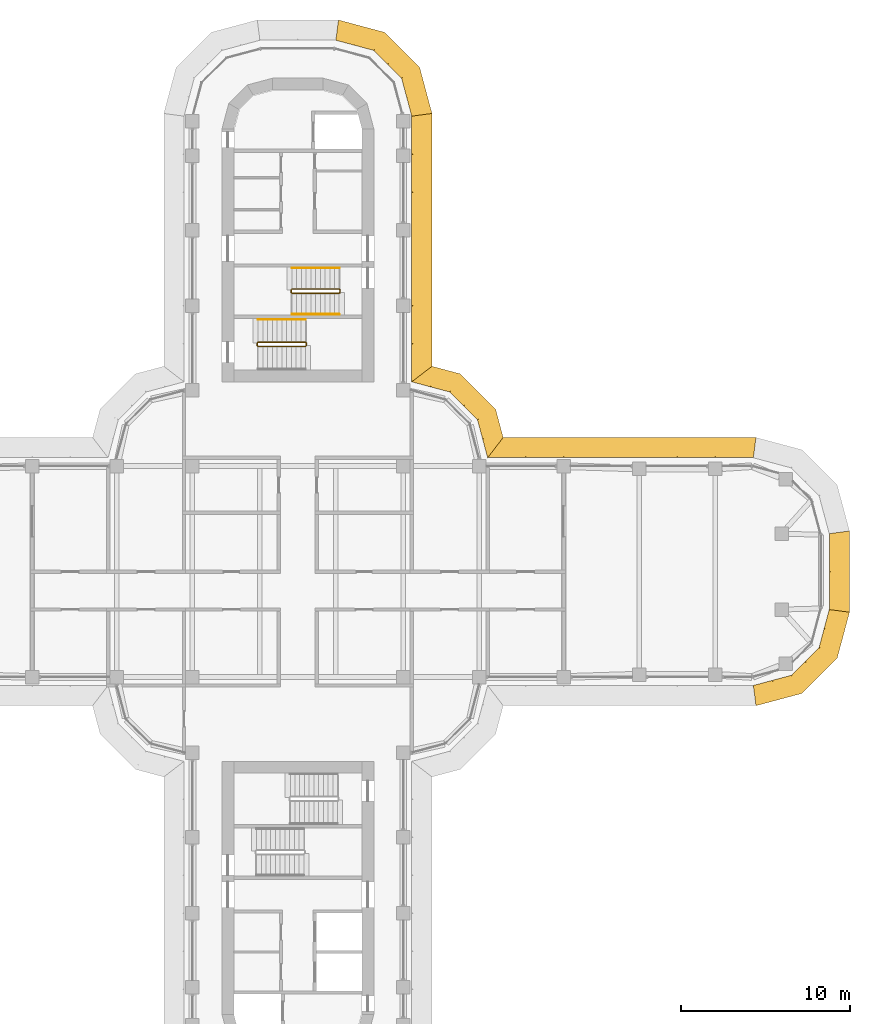
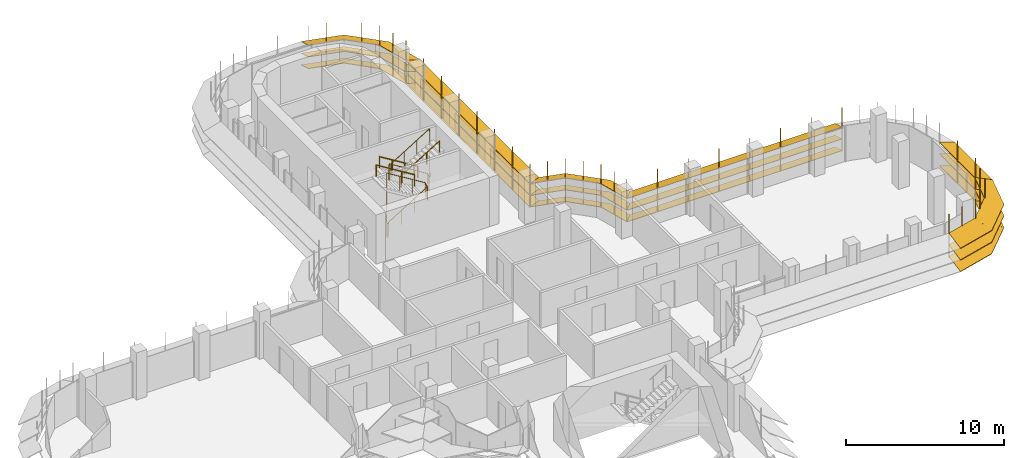
# One storey, part 18 of 19: 6 shading devices, 5 railings.
"""IFC4 building model written with IfcOpenShell, lengths in metres."""

from ifc_helpers import new_model, si_unit, direction, frame, origin, origin_2d, place, context, subcontext, project, spatial, polyline, circle, outline, extrude, faceted_brep, source, transform, mapped, material, type_object, element, save


model = new_model("IFC4")

# Units and contexts
model_context = context("Model", 3, precision=1e-05, world=origin(), true_north=direction((0.0, 1.0)))
body_context = subcontext(model_context, "Body", "Model", "MODEL_VIEW")
ifc_project = project(units=[si_unit("LENGTHUNIT", "METRE"), si_unit("AREAUNIT", "SQUARE_METRE"), si_unit("VOLUMEUNIT", "CUBIC_METRE"), si_unit("PLANEANGLEUNIT", "RADIAN"), si_unit("MASSUNIT", "GRAM", prefix="KILO")], contexts=[model_context])

# Site, building, storey
site_placement = place(None, origin())
site = spatial("IfcSite", under=ifc_project, at=site_placement, CompositionType="ELEMENT")
building_placement = place(site_placement, origin())
building = spatial("IfcBuilding", under=site, at=building_placement, Name="Zarbagh Exchange Tower", CompositionType="ELEMENT")
storey_placement = place(building_placement, frame((0.0, 0.0, 160.0)))
storey = spatial("IfcBuildingStorey", under=building, at=storey_placement, Name="L38", CompositionType="ELEMENT", Elevation=160.0)

# Railings
ifc_material_1 = material(Name="Stainless steel", Category="steel")
railing_type_1 = type_object("IfcRailingType", Name="Stair guard 1100 mm", PredefinedType="GUARDRAIL", material=ifc_material_1)
railing_1_placement = place(storey_placement, frame((-0.35009765625, 16.5, 2.07275390625)))
element("IfcRailing", 1, at=railing_1_placement, inside=storey, type_object=railing_type_1, Name="ST1 stair guard 1", PredefinedType="GUARDRAIL", context=body_context, shape_type="SweptSolid", body=[
    extrude(circle(Radius=0.02392578125, at=origin_2d()), frame((0.0, 0.0, 1.076171875), z_axis=(0.851089632645, 0.0, 0.525020415988), x_axis=(0.0, 1.0, 0.0)), (0.0, 0.0, 1.0), 3.2900390625),
    extrude(circle(Radius=0.02392578125, at=origin_2d()), frame((2.800048828125, 0.0, 2.80322265625), z_axis=(0.013168290981, 0.013168290981, -0.999826581076), x_axis=(-0.707106781187, 0.707106781187, 0.0)), (0.0, 0.0, 1.0), 3.80078125),
    extrude(circle(Radius=0.02392578125, at=origin_2d()), frame((2.85009765625, 0.050048828125, -0.99658203125), z_axis=(0.0, 1.0, 0.0), x_axis=(-1.0, 0.0, 0.0)), (0.0, 0.0, 1.0), 0.14990234375),
    extrude(circle(Radius=0.02392578125, at=origin_2d()), frame((2.85009765625, 0.199951171875, -0.99658203125), z_axis=(-0.268277960024, 0.268277960024, 0.925231793839), x_axis=(-0.707106781187, -0.707106781187, 0.0)), (0.0, 0.0, 1.0), 0.1865234375),
    extrude(circle(Radius=0.02392578125, at=origin_2d()), frame((2.800048828125, 0.25, -0.82421875), z_axis=(-0.851089632645, 0.0, 0.525020415988), x_axis=(0.0, -1.0, 0.0)), (0.0, 0.0, 1.0), 3.2900390625),
    extrude(circle(Radius=0.02392578125, at=origin_2d()), frame((0.0, 0.25, 0.9033203125), z_axis=(-0.705375805398, -0.708833529934, 0.0), x_axis=(0.708833529934, -0.705375805398, 0.0)), (0.0, 0.0, 1.0), 0.070556640625),
    extrude(circle(Radius=0.02392578125, at=origin_2d()), frame((-0.0498046875, 0.199951171875, 0.9033203125), z_axis=(0.0, -1.0, 0.0), x_axis=(1.0, 0.0, 0.0)), (0.0, 0.0, 1.0), 0.14990234375),
    extrude(circle(Radius=0.02099609375, at=origin_2d()), origin(), (0.0, 0.0, 1.0), 1.052001953125),
    extrude(circle(Radius=0.02099609375, at=origin_2d()), frame((0.933349609375, 0.0, 0.57568359375)), (0.0, 0.0, 1.0), 1.052001953125),
    extrude(circle(Radius=0.02099609375, at=origin_2d()), frame((1.86669921875, 0.0, 1.151611328125)), (0.0, 0.0, 1.0), 1.052001953125),
    extrude(circle(Radius=0.02099609375, at=origin_2d()), frame((2.800048828125, 0.0, 1.727294921875)), (0.0, 0.0, 1.0), 1.052001953125),
    extrude(circle(Radius=0.02099609375, at=origin_2d()), frame((2.8125, 0.012451171875, 0.77734375)), (0.0, 0.0, 1.0), 1.052001953125),
    extrude(circle(Radius=0.02099609375, at=origin_2d()), frame((2.8251953125, 0.02490234375, -0.1728515625)), (0.0, 0.0, 1.0), 1.052001953125),
    extrude(circle(Radius=0.02099609375, at=origin_2d()), frame((2.837646484375, 0.03759765625, -1.122802734375)), (0.0, 0.0, 1.0), 1.052001953125),
    extrude(circle(Radius=0.02099609375, at=origin_2d()), frame((2.85009765625, 0.050048828125, -2.07275390625)), (0.0, 0.0, 1.0), 1.052001953125),
    extrude(circle(Radius=0.02099609375, at=origin_2d()), frame((2.85009765625, 0.199951171875, -2.07275390625)), (0.0, 0.0, 1.0), 1.052001953125),
    extrude(circle(Radius=0.02099609375, at=origin_2d()), frame((2.800048828125, 0.25, -1.900146484375)), (0.0, 0.0, 1.0), 1.052001953125),
    extrude(circle(Radius=0.02099609375, at=origin_2d()), frame((1.86669921875, 0.25, -1.324462890625)), (0.0, 0.0, 1.0), 1.052001953125),
    extrude(circle(Radius=0.02099609375, at=origin_2d()), frame((0.933349609375, 0.25, -0.74853515625)), (0.0, 0.0, 1.0), 1.052001953125),
    extrude(circle(Radius=0.02099609375, at=origin_2d()), frame((0.0, 0.25, -0.1728515625)), (0.0, 0.0, 1.0), 1.052001953125),
    extrude(circle(Radius=0.02099609375, at=origin_2d()), frame((-0.0498046875, 0.199951171875, -0.1728515625)), (0.0, 0.0, 1.0), 1.052001953125),
    extrude(circle(Radius=0.02099609375, at=origin_2d()), frame((-0.0498046875, 0.050048828125, -0.1728515625)), (0.0, 0.0, 1.0), 1.052001953125),
])
railing_2_placement = place(storey_placement, frame((0.5, 13.39990234375, 1.89990234375)))
element("IfcRailing", 2, at=railing_2_placement, inside=storey, type_object=railing_type_1, Name="ST2 stair guard 1", PredefinedType="GUARDRAIL", context=body_context, shape_type="SweptSolid", body=[
    extrude(circle(Radius=0.02392578125, at=origin_2d()), frame((0.0, 0.0, 1.076171875), z_axis=(0.0, 1.0, 0.0), x_axis=(-1.0, 0.0, 0.0)), (0.0, 0.0, 1.0), 0.150146484375),
    extrude(circle(Radius=0.02392578125, at=origin_2d()), frame((0.0, 0.150146484375, 1.076171875), z_axis=(-0.267953482034, 0.267953482034, 0.925419830635), x_axis=(-0.707106781187, -0.707106781187, 0.0)), (0.0, 0.0, 1.0), 0.186767578125),
    extrude(circle(Radius=0.02392578125, at=origin_2d()), frame((-0.050048828125, 0.2001953125, 1.2490234375), z_axis=(-0.851089632645, 0.0, 0.525020415988), x_axis=(0.0, -1.0, 0.0)), (0.0, 0.0, 1.0), 3.2900390625),
    extrude(circle(Radius=0.02392578125, at=origin_2d()), frame((-2.85009765625, 0.2001953125, 2.97607421875), z_axis=(-0.013104066473, -0.013168302093, -0.99982742474), x_axis=(0.708833529934, -0.705375805398, 0.0)), (0.0, 0.0, 1.0), 3.80078125),
    extrude(circle(Radius=0.02392578125, at=origin_2d()), frame((-2.89990234375, 0.150146484375, -0.82373046875), z_axis=(0.0, -1.0, 0.0), x_axis=(1.0, 0.0, 0.0)), (0.0, 0.0, 1.0), 0.150146484375),
    extrude(circle(Radius=0.02392578125, at=origin_2d()), frame((-2.89990234375, 0.0, -0.82373046875), z_axis=(0.26715648603, -0.26715648603, 0.925880566782), x_axis=(0.707106781187, 0.707106781187, 0.0)), (0.0, 0.0, 1.0), 0.1865234375),
    extrude(circle(Radius=0.02392578125, at=origin_2d()), frame((-2.85009765625, -0.0498046875, -0.6513671875), z_axis=(0.851089632645, 0.0, 0.525020415988), x_axis=(0.0, 1.0, 0.0)), (0.0, 0.0, 1.0), 3.2900390625),
    extrude(circle(Radius=0.02099609375, at=origin_2d()), origin(), (0.0, 0.0, 1.0), 1.052001953125),
    extrude(circle(Radius=0.02099609375, at=origin_2d()), frame((0.0, 0.150146484375, 0.0)), (0.0, 0.0, 1.0), 1.052001953125),
    extrude(circle(Radius=0.02099609375, at=origin_2d()), frame((-0.050048828125, 0.2001953125, 0.1728515625)), (0.0, 0.0, 1.0), 1.052001953125),
    extrude(circle(Radius=0.02099609375, at=origin_2d()), frame((-0.9833984375, 0.2001953125, 0.74853515625)), (0.0, 0.0, 1.0), 1.052001953125),
    extrude(circle(Radius=0.02099609375, at=origin_2d()), frame((-1.916748046875, 0.2001953125, 1.324462890625)), (0.0, 0.0, 1.0), 1.052001953125),
    extrude(circle(Radius=0.02099609375, at=origin_2d()), frame((-2.85009765625, 0.2001953125, 1.900146484375)), (0.0, 0.0, 1.0), 1.052001953125),
    extrude(circle(Radius=0.02099609375, at=origin_2d()), frame((-2.862548828125, 0.187744140625, 0.9501953125)), (0.0, 0.0, 1.0), 1.052001953125),
    extrude(circle(Radius=0.02099609375, at=origin_2d()), frame((-2.875, 0.17529296875, 0.0)), (0.0, 0.0, 1.0), 1.052001953125),
    extrude(circle(Radius=0.02099609375, at=origin_2d()), frame((-2.887451171875, 0.16259765625, -0.949951171875)), (0.0, 0.0, 1.0), 1.052001953125),
    extrude(circle(Radius=0.02099609375, at=origin_2d()), frame((-2.89990234375, 0.150146484375, -1.89990234375)), (0.0, 0.0, 1.0), 1.052001953125),
    extrude(circle(Radius=0.02099609375, at=origin_2d()), frame((-2.89990234375, 0.0, -1.89990234375)), (0.0, 0.0, 1.0), 1.052001953125),
    extrude(circle(Radius=0.02099609375, at=origin_2d()), frame((-2.85009765625, -0.0498046875, -1.727294921875)), (0.0, 0.0, 1.0), 1.052001953125),
    extrude(circle(Radius=0.02099609375, at=origin_2d()), frame((-1.916748046875, -0.0498046875, -1.151611328125)), (0.0, 0.0, 1.0), 1.052001953125),
    extrude(circle(Radius=0.02099609375, at=origin_2d()), frame((-0.9833984375, -0.0498046875, -0.57568359375)), (0.0, 0.0, 1.0), 1.052001953125),
    extrude(circle(Radius=0.02099609375, at=origin_2d()), frame((-0.050048828125, -0.0498046875, 0.0)), (0.0, 0.0, 1.0), 1.052001953125),
])
railing_type_2 = type_object("IfcRailingType", Name="Stair handrail 900 mm", PredefinedType="HANDRAIL", material=ifc_material_1)
railing_3_placement = place(storey_placement, frame((2.449951171875, 18.0, 0.172607421875)))
element("IfcRailing", 3, at=railing_3_placement, inside=storey, type_object=railing_type_2, Name="ST1 stair handrail 1", PredefinedType="HANDRAIL", context=body_context, shape_type="SweptSolid", body=[
    extrude(circle(Radius=0.02392578125, at=origin_2d()), frame((0.0, 0.0, 0.8759765625), z_axis=(-0.851089632645, 0.0, 0.525020415988), x_axis=(0.0, -1.0, 0.0)), (0.0, 0.0, 1.0), 3.2900390625),
    extrude(circle(Radius=0.02099609375, at=origin_2d()), origin(), (0.0, 0.0, 1.0), 0.851806640625),
    extrude(circle(Radius=0.02099609375, at=origin_2d()), frame((-0.933349609375, 0.0, 0.57568359375)), (0.0, 0.0, 1.0), 0.851806640625),
    extrude(circle(Radius=0.02099609375, at=origin_2d()), frame((-1.86669921875, 0.0, 1.151611328125)), (0.0, 0.0, 1.0), 0.851806640625),
    extrude(circle(Radius=0.02099609375, at=origin_2d()), frame((-2.800048828125, 0.0, 1.727294921875)), (0.0, 0.0, 1.0), 0.851806640625),
])
railing_4_placement = place(storey_placement, frame((-0.35009765625, 15.25, 2.07275390625)))
element("IfcRailing", 4, at=railing_4_placement, inside=storey, type_object=railing_type_2, Name="ST1 stair handrail 2", PredefinedType="HANDRAIL", context=body_context, shape_type="SweptSolid", body=[
    extrude(circle(Radius=0.02392578125, at=origin_2d()), frame((0.0, 0.0, 0.8759765625), z_axis=(0.851089632645, 0.0, 0.525020415988), x_axis=(0.0, 1.0, 0.0)), (0.0, 0.0, 1.0), 3.2900390625),
    extrude(circle(Radius=0.02099609375, at=origin_2d()), origin(), (0.0, 0.0, 1.0), 0.851806640625),
    extrude(circle(Radius=0.02099609375, at=origin_2d()), frame((0.933349609375, 0.0, 0.57568359375)), (0.0, 0.0, 1.0), 0.851806640625),
    extrude(circle(Radius=0.02099609375, at=origin_2d()), frame((1.86669921875, 0.0, 1.151611328125)), (0.0, 0.0, 1.0), 0.851806640625),
    extrude(circle(Radius=0.02099609375, at=origin_2d()), frame((2.800048828125, 0.0, 1.727294921875)), (0.0, 0.0, 1.0), 0.851806640625),
])
railing_5_placement = place(storey_placement, frame((0.449951171875, 14.949951171875, 2.07275390625)))
element("IfcRailing", 5, at=railing_5_placement, inside=storey, type_object=railing_type_2, Name="ST2 stair handrail 2", PredefinedType="HANDRAIL", context=body_context, shape_type="SweptSolid", body=[
    extrude(circle(Radius=0.02392578125, at=origin_2d()), frame((0.0, 0.0, 0.8759765625), z_axis=(-0.851089632645, 0.0, 0.525020415988), x_axis=(0.0, -1.0, 0.0)), (0.0, 0.0, 1.0), 3.2900390625),
    extrude(circle(Radius=0.02099609375, at=origin_2d()), origin(), (0.0, 0.0, 1.0), 0.851806640625),
    extrude(circle(Radius=0.02099609375, at=origin_2d()), frame((-0.933349609375, 0.0, 0.57568359375)), (0.0, 0.0, 1.0), 0.851806640625),
    extrude(circle(Radius=0.02099609375, at=origin_2d()), frame((-1.86669921875, 0.0, 1.151611328125)), (0.0, 0.0, 1.0), 0.851806640625),
    extrude(circle(Radius=0.02099609375, at=origin_2d()), frame((-2.800048828125, 0.0, 1.727294921875)), (0.0, 0.0, 1.0), 0.851806640625),
])

# Shading devices
ifc_material_2 = material(Name="Anodised aluminium blades and brackets", Category="aluminium")
shading_device_type = type_object("IfcShadingDeviceType", Name="SUNSHADE louvre band, 22.5 degree blades", PredefinedType="JALOUSIE", material=ifc_material_2)
shared_shape_1 = source(origin(), body_context, "Body", "Brep", [
    faceted_brep([(0.0, 0.0, 0.0), (0.0, 0.0, -0.043212890625), (-0.157958984375, -1.199951171875, -0.540283203125), (-0.157958984375, -1.199951171875, -0.4970703125), (2.65087890625, -1.199951171875, -0.4970703125), (2.65087890625, -1.199951171875, -0.540283203125), (2.329345703125, 0.0, -0.043212890625), (2.329345703125, 0.0, 0.0)], [[[0, 1, 2, 3]], [[4, 5, 6, 7]], [[0, 7, 6, 1]], [[1, 6, 5, 2]], [[2, 5, 4, 3]], [[3, 4, 7, 0]]]),
])
shared_shape_2 = source(origin(), body_context, "Body", "Brep", [
    faceted_brep([(0.0, 0.0, 0.0), (0.0, 0.0, -0.043212890625), (-0.321533203125, -1.199951171875, -0.540283203125), (-0.321533203125, -1.199951171875, -0.4970703125), (2.65087890625, -1.199951171875, -0.4970703125), (2.65087890625, -1.199951171875, -0.540283203125), (2.329345703125, 0.0, -0.043212890625), (2.329345703125, 0.0, 0.0)], [[[0, 1, 2, 3]], [[4, 5, 6, 7]], [[0, 7, 6, 1]], [[1, 6, 5, 2]], [[2, 5, 4, 3]], [[3, 4, 7, 0]]]),
])
shared_shape_3 = source(origin(), body_context, "Body", "Brep", [
    faceted_brep([(0.0, 0.0, 0.0), (0.0, 0.0, -0.043212890625), (-0.321533203125, -1.199951171875, -0.540283203125), (-0.321533203125, -1.199951171875, -0.4970703125), (2.4873046875, -1.199951171875, -0.4970703125), (2.4873046875, -1.199951171875, -0.540283203125), (2.329345703125, 0.0, -0.043212890625), (2.329345703125, 0.0, 0.0)], [[[0, 1, 2, 3]], [[4, 5, 6, 7]], [[0, 7, 6, 1]], [[1, 6, 5, 2]], [[2, 5, 4, 3]], [[3, 4, 7, 0]]]),
])
shared_shape_4 = source(origin(), body_context, "Body", "SweptSolid", [
    extrude(outline(polyline([(0.0, -0.012451171875), (0.06005859375, -0.012451171875), (0.06005859375, 0.012451171875), (0.0, 0.012451171875), (0.0, -0.012451171875)])), origin(), (0.0, 0.0, 1.0), 3.353271484375),
])
placement = place(storey_placement, origin())
element("IfcShadingDevice", 6, at=placement, inside=storey, type_object=shading_device_type, Name="SS31 sunshade band", PredefinedType="JALOUSIE", context=body_context, shape_type="MappedRepresentation", body=[
    mapped(shared_shape_1, transform((27.0, -6.75, 2.300048828125), x_axis=(0.965924289636, 0.258824779902, 0.0), y_axis=(-0.258824779902, 0.965924289636, 0.0), z_axis=(0.0, 0.0, 1.0))),
    mapped(shared_shape_1, transform((27.0, -6.75, 1.39990234375), x_axis=(0.965924289636, 0.258824779902, 0.0), y_axis=(-0.258824779902, 0.965924289636, 0.0), z_axis=(0.0, 0.0, 1.0))),
    mapped(shared_shape_1, transform((27.0, -6.75, 0.5), x_axis=(0.965924289636, 0.258824779902, 0.0), y_axis=(-0.258824779902, 0.965924289636, 0.0), z_axis=(0.0, 0.0, 1.0))),
    mapped(shared_shape_2, transform((29.25, -6.147216796875, 2.300048828125), x_axis=(0.707106781187, 0.707106781187, 0.0), y_axis=(-0.707106781187, 0.707106781187, 0.0), z_axis=(0.0, 0.0, 1.0))),
    mapped(shared_shape_2, transform((29.25, -6.147216796875, 1.39990234375), x_axis=(0.707106781187, 0.707106781187, 0.0), y_axis=(-0.707106781187, 0.707106781187, 0.0), z_axis=(0.0, 0.0, 1.0))),
    mapped(shared_shape_2, transform((29.25, -6.147216796875, 0.5), x_axis=(0.707106781187, 0.707106781187, 0.0), y_axis=(-0.707106781187, 0.707106781187, 0.0), z_axis=(0.0, 0.0, 1.0))),
    mapped(shared_shape_3, transform((30.897216796875, -4.5, 2.300048828125), x_axis=(0.258824779902, 0.965924289636, 0.0), y_axis=(-0.965924289636, 0.258824779902, 0.0), z_axis=(0.0, 0.0, 1.0))),
    mapped(shared_shape_3, transform((30.897216796875, -4.5, 1.39990234375), x_axis=(0.258824779902, 0.965924289636, 0.0), y_axis=(-0.965924289636, 0.258824779902, 0.0), z_axis=(0.0, 0.0, 1.0))),
    mapped(shared_shape_3, transform((30.897216796875, -4.5, 0.5), x_axis=(0.258824779902, 0.965924289636, 0.0), y_axis=(-0.965924289636, 0.258824779902, 0.0), z_axis=(0.0, 0.0, 1.0))),
    mapped(shared_shape_4, transform((27.0, -6.75, 0.4267578125), x_axis=(0.130529263012, -0.991444457092, 0.0), y_axis=(0.991444457092, 0.130529263012, 0.0), z_axis=(0.0, 0.0, 1.0))),
    mapped(shared_shape_4, transform((28.125, -6.448486328125, 0.4267578125), x_axis=(0.258825058029, -0.96592421511, 0.0), y_axis=(0.96592421511, 0.258825058029, 0.0), z_axis=(0.0, 0.0, 1.0))),
    mapped(shared_shape_4, transform((29.25, -6.147216796875, 0.4267578125), x_axis=(0.50000275701, -0.866023812018, 0.0), y_axis=(0.866023812018, 0.50000275701, 0.0), z_axis=(0.0, 0.0, 1.0))),
    mapped(shared_shape_4, transform((30.073486328125, -5.323486328125, 0.4267578125), x_axis=(0.707106781187, -0.707106781187, 0.0), y_axis=(0.707106781187, 0.707106781187, 0.0), z_axis=(0.0, 0.0, 1.0))),
    mapped(shared_shape_4, transform((30.897216796875, -4.5, 0.4267578125), x_axis=(0.866023812018, -0.50000275701, 0.0), y_axis=(0.50000275701, 0.866023812018, 0.0), z_axis=(0.0, 0.0, 1.0))),
    mapped(shared_shape_4, transform((31.198486328125, -3.375, 0.4267578125), x_axis=(0.96592421511, -0.258825058029, 0.0), y_axis=(0.258825058029, 0.96592421511, 0.0), z_axis=(0.0, 0.0, 1.0))),
])
element("IfcShadingDevice", 7, at=placement, inside=storey, type_object=shading_device_type, Name="SS26 sunshade band", PredefinedType="JALOUSIE", context=body_context, shape_type="MappedRepresentation", body=[
    mapped(shared_shape_1, transform((6.75, 27.0, 2.300048828125), x_axis=(-0.258824779902, 0.965924289636, 0.0), y_axis=(-0.965924289636, -0.258824779902, 0.0), z_axis=(0.0, 0.0, 1.0))),
    mapped(shared_shape_1, transform((6.75, 27.0, 1.39990234375), x_axis=(-0.258824779902, 0.965924289636, 0.0), y_axis=(-0.965924289636, -0.258824779902, 0.0), z_axis=(0.0, 0.0, 1.0))),
    mapped(shared_shape_1, transform((6.75, 27.0, 0.5), x_axis=(-0.258824779902, 0.965924289636, 0.0), y_axis=(-0.965924289636, -0.258824779902, 0.0), z_axis=(0.0, 0.0, 1.0))),
    mapped(shared_shape_2, transform((6.147216796875, 29.25, 2.300048828125), x_axis=(-0.707106781187, 0.707106781187, 0.0), y_axis=(-0.707106781187, -0.707106781187, 0.0), z_axis=(0.0, 0.0, 1.0))),
    mapped(shared_shape_2, transform((6.147216796875, 29.25, 1.39990234375), x_axis=(-0.707106781187, 0.707106781187, 0.0), y_axis=(-0.707106781187, -0.707106781187, 0.0), z_axis=(0.0, 0.0, 1.0))),
    mapped(shared_shape_2, transform((6.147216796875, 29.25, 0.5), x_axis=(-0.707106781187, 0.707106781187, 0.0), y_axis=(-0.707106781187, -0.707106781187, 0.0), z_axis=(0.0, 0.0, 1.0))),
    mapped(shared_shape_3, transform((4.5, 30.897216796875, 2.300048828125), x_axis=(-0.965924289636, 0.258824779902, 0.0), y_axis=(-0.258824779902, -0.965924289636, 0.0), z_axis=(0.0, 0.0, 1.0))),
    mapped(shared_shape_3, transform((4.5, 30.897216796875, 1.39990234375), x_axis=(-0.965924289636, 0.258824779902, 0.0), y_axis=(-0.258824779902, -0.965924289636, 0.0), z_axis=(0.0, 0.0, 1.0))),
    mapped(shared_shape_3, transform((4.5, 30.897216796875, 0.5), x_axis=(-0.965924289636, 0.258824779902, 0.0), y_axis=(-0.258824779902, -0.965924289636, 0.0), z_axis=(0.0, 0.0, 1.0))),
    mapped(shared_shape_4, transform((6.75, 27.0, 0.4267578125), x_axis=(0.991444457092, 0.130529263012, 0.0), y_axis=(-0.130529263012, 0.991444457092, 0.0), z_axis=(0.0, 0.0, 1.0))),
    mapped(shared_shape_4, transform((6.448486328125, 28.125, 0.4267578125), x_axis=(0.96592421511, 0.258825058029, 0.0), y_axis=(-0.258825058029, 0.96592421511, 0.0), z_axis=(0.0, 0.0, 1.0))),
    mapped(shared_shape_4, transform((6.147216796875, 29.25, 0.4267578125), x_axis=(0.866023812018, 0.50000275701, 0.0), y_axis=(-0.50000275701, 0.866023812018, 0.0), z_axis=(0.0, 0.0, 1.0))),
    mapped(shared_shape_4, transform((5.323486328125, 30.073486328125, 0.4267578125), x_axis=(0.707106781187, 0.707106781187, 0.0), y_axis=(-0.707106781187, 0.707106781187, 0.0), z_axis=(0.0, 0.0, 1.0))),
    mapped(shared_shape_4, transform((4.5, 30.897216796875, 0.4267578125), x_axis=(0.50000275701, 0.866023812018, 0.0), y_axis=(-0.866023812018, 0.50000275701, 0.0), z_axis=(0.0, 0.0, 1.0))),
    mapped(shared_shape_4, transform((3.375, 31.198486328125, 0.4267578125), x_axis=(0.258825058029, 0.96592421511, 0.0), y_axis=(-0.96592421511, 0.258825058029, 0.0), z_axis=(0.0, 0.0, 1.0))),
])
shared_shape_5 = source(origin(), body_context, "Body", "Brep", [
    faceted_brep([(0.0, 0.0, 0.0), (0.0, 0.0, -0.043212890625), (0.9208984375, -1.199951171875, -0.540283203125), (0.9208984375, -1.199951171875, -0.4970703125), (2.65087890625, -1.199951171875, -0.4970703125), (2.65087890625, -1.199951171875, -0.540283203125), (2.329345703125, 0.0, -0.043212890625), (2.329345703125, 0.0, 0.0)], [[[0, 1, 2, 3]], [[4, 5, 6, 7]], [[0, 7, 6, 1]], [[1, 6, 5, 2]], [[2, 5, 4, 3]], [[3, 4, 7, 0]]]),
])
shared_shape_6 = source(origin(), body_context, "Body", "Brep", [
    faceted_brep([(0.0, 0.0, 0.0), (0.0, 0.0, -0.043212890625), (-0.321533203125, -1.199951171875, -0.540283203125), (-0.321533203125, -1.199951171875, -0.4970703125), (1.40869140625, -1.199951171875, -0.4970703125), (1.40869140625, -1.199951171875, -0.540283203125), (2.329345703125, 0.0, -0.043212890625), (2.329345703125, 0.0, 0.0)], [[[0, 1, 2, 3]], [[4, 5, 6, 7]], [[0, 7, 6, 1]], [[1, 6, 5, 2]], [[2, 5, 4, 3]], [[3, 4, 7, 0]]]),
])
element("IfcShadingDevice", 8, at=placement, inside=storey, type_object=shading_device_type, Name="SS09 sunshade band", PredefinedType="JALOUSIE", context=body_context, shape_type="MappedRepresentation", body=[
    mapped(shared_shape_5, transform((11.25, 6.75, 2.300048828125), x_axis=(-0.258824779902, 0.965924289636, 0.0), y_axis=(-0.965924289636, -0.258824779902, 0.0), z_axis=(0.0, 0.0, 1.0))),
    mapped(shared_shape_5, transform((11.25, 6.75, 1.39990234375), x_axis=(-0.258824779902, 0.965924289636, 0.0), y_axis=(-0.965924289636, -0.258824779902, 0.0), z_axis=(0.0, 0.0, 1.0))),
    mapped(shared_shape_5, transform((11.25, 6.75, 0.5), x_axis=(-0.258824779902, 0.965924289636, 0.0), y_axis=(-0.965924289636, -0.258824779902, 0.0), z_axis=(0.0, 0.0, 1.0))),
    mapped(shared_shape_2, transform((10.647216796875, 9.0, 2.300048828125), x_axis=(-0.707106781187, 0.707106781187, 0.0), y_axis=(-0.707106781187, -0.707106781187, 0.0), z_axis=(0.0, 0.0, 1.0))),
    mapped(shared_shape_2, transform((10.647216796875, 9.0, 1.39990234375), x_axis=(-0.707106781187, 0.707106781187, 0.0), y_axis=(-0.707106781187, -0.707106781187, 0.0), z_axis=(0.0, 0.0, 1.0))),
    mapped(shared_shape_2, transform((10.647216796875, 9.0, 0.5), x_axis=(-0.707106781187, 0.707106781187, 0.0), y_axis=(-0.707106781187, -0.707106781187, 0.0), z_axis=(0.0, 0.0, 1.0))),
    mapped(shared_shape_6, transform((9.0, 10.647216796875, 2.300048828125), x_axis=(-0.965924289636, 0.258824779902, 0.0), y_axis=(-0.258824779902, -0.965924289636, 0.0), z_axis=(0.0, 0.0, 1.0))),
    mapped(shared_shape_6, transform((9.0, 10.647216796875, 1.39990234375), x_axis=(-0.965924289636, 0.258824779902, 0.0), y_axis=(-0.258824779902, -0.965924289636, 0.0), z_axis=(0.0, 0.0, 1.0))),
    mapped(shared_shape_6, transform((9.0, 10.647216796875, 0.5), x_axis=(-0.965924289636, 0.258824779902, 0.0), y_axis=(-0.258824779902, -0.965924289636, 0.0), z_axis=(0.0, 0.0, 1.0))),
    mapped(shared_shape_4, transform((11.25, 6.75, 0.4267578125), x_axis=(0.608758892, 0.793355287, 0.0), y_axis=(-0.793355287, 0.608758892, 0.0), z_axis=(0.0, 0.0, 1.0))),
    mapped(shared_shape_4, transform((10.948486328125, 7.875, 0.4267578125), x_axis=(0.96592421511, 0.258825058029, 0.0), y_axis=(-0.258825058029, 0.96592421511, 0.0), z_axis=(0.0, 0.0, 1.0))),
    mapped(shared_shape_4, transform((10.647216796875, 9.0, 0.4267578125), x_axis=(0.866023812018, 0.50000275701, 0.0), y_axis=(-0.50000275701, 0.866023812018, 0.0), z_axis=(0.0, 0.0, 1.0))),
    mapped(shared_shape_4, transform((9.823486328125, 9.823486328125, 0.4267578125), x_axis=(0.707106781187, 0.707106781187, 0.0), y_axis=(-0.707106781187, 0.707106781187, 0.0), z_axis=(0.0, 0.0, 1.0))),
    mapped(shared_shape_4, transform((9.0, 10.647216796875, 0.4267578125), x_axis=(0.50000275701, 0.866023812018, 0.0), y_axis=(-0.866023812018, 0.50000275701, 0.0), z_axis=(0.0, 0.0, 1.0))),
    mapped(shared_shape_4, transform((7.875, 10.948486328125, 0.4267578125), x_axis=(0.258825058029, 0.96592421511, 0.0), y_axis=(-0.96592421511, 0.258825058029, 0.0), z_axis=(0.0, 0.0, 1.0))),
])
shared_shape_7 = source(origin(), body_context, "Body", "Brep", [
    faceted_brep([(0.0, 0.0, 0.0), (0.0, 0.0, -0.043212890625), (-0.157958984375, -1.199951171875, -0.540283203125), (-0.157958984375, -1.199951171875, -0.4970703125), (4.657958984375, -1.199951171875, -0.4970703125), (4.657958984375, -1.199951171875, -0.540283203125), (4.5, 0.0, -0.043212890625), (4.5, 0.0, 0.0)], [[[0, 1, 2, 3]], [[4, 5, 6, 7]], [[0, 7, 6, 1]], [[1, 6, 5, 2]], [[2, 5, 4, 3]], [[3, 4, 7, 0]]]),
])
element("IfcShadingDevice", 9, at=placement, inside=storey, type_object=shading_device_type, Name="SS32 sunshade band", PredefinedType="JALOUSIE", context=body_context, shape_type="MappedRepresentation", body=[
    mapped(shared_shape_7, transform((31.5, -2.25, 2.300048828125), x_axis=(0.0, 1.0, 0.0), y_axis=(-1.0, 0.0, 0.0), z_axis=(0.0, 0.0, 1.0))),
    mapped(shared_shape_7, transform((31.5, -2.25, 1.39990234375), x_axis=(0.0, 1.0, 0.0), y_axis=(-1.0, 0.0, 0.0), z_axis=(0.0, 0.0, 1.0))),
    mapped(shared_shape_7, transform((31.5, -2.25, 0.5), x_axis=(0.0, 1.0, 0.0), y_axis=(-1.0, 0.0, 0.0), z_axis=(0.0, 0.0, 1.0))),
    mapped(shared_shape_4, transform((31.5, -2.25, 0.4267578125), x_axis=(0.991444457092, -0.130529263012, 0.0), y_axis=(0.130529263012, 0.991444457092, 0.0), z_axis=(0.0, 0.0, 1.0))),
    mapped(shared_shape_4, transform((31.5, 0.0, 0.4267578125), x_axis=(1.0, 0.0, 0.0), y_axis=(0.0, 1.0, 0.0), z_axis=(0.0, 0.0, 1.0))),
])
shared_shape_8 = source(origin(), body_context, "Body", "Brep", [
    faceted_brep([(0.0, 0.0, 0.0), (0.0, 0.0, -0.043212890625), (-0.157958984375, -1.199951171875, -0.540283203125), (-0.157958984375, -1.199951171875, -0.4970703125), (14.8291015625, -1.199951171875, -0.4970703125), (14.8291015625, -1.199951171875, -0.540283203125), (15.75, 0.0, -0.043212890625), (15.75, 0.0, 0.0)], [[[0, 1, 2, 3]], [[4, 5, 6, 7]], [[0, 7, 6, 1]], [[1, 6, 5, 2]], [[2, 5, 4, 3]], [[3, 4, 7, 0]]]),
])
element("IfcShadingDevice", 10, at=placement, inside=storey, type_object=shading_device_type, Name="SS34 sunshade band", PredefinedType="JALOUSIE", context=body_context, shape_type="MappedRepresentation", body=[
    mapped(shared_shape_8, transform((27.0, 6.75, 2.300048828125), x_axis=(-1.0, 0.0, 0.0), y_axis=(0.0, -1.0, 0.0), z_axis=(0.0, 0.0, 1.0))),
    mapped(shared_shape_8, transform((27.0, 6.75, 1.39990234375), x_axis=(-1.0, 0.0, 0.0), y_axis=(0.0, -1.0, 0.0), z_axis=(0.0, 0.0, 1.0))),
    mapped(shared_shape_8, transform((27.0, 6.75, 0.5), x_axis=(-1.0, 0.0, 0.0), y_axis=(0.0, -1.0, 0.0), z_axis=(0.0, 0.0, 1.0))),
    mapped(shared_shape_4, transform((27.0, 6.75, 0.4267578125), x_axis=(0.130529263012, 0.991444457092, 0.0), y_axis=(-0.991444457092, 0.130529263012, 0.0), z_axis=(0.0, 0.0, 1.0))),
    mapped(shared_shape_4, transform((24.75, 6.75, 0.4267578125), x_axis=(0.0, 1.0, 0.0), y_axis=(-1.0, 0.0, 0.0), z_axis=(0.0, 0.0, 1.0))),
    mapped(shared_shape_4, transform((22.5, 6.75, 0.4267578125), x_axis=(0.0, 1.0, 0.0), y_axis=(-1.0, 0.0, 0.0), z_axis=(0.0, 0.0, 1.0))),
    mapped(shared_shape_4, transform((20.25, 6.75, 0.4267578125), x_axis=(0.0, 1.0, 0.0), y_axis=(-1.0, 0.0, 0.0), z_axis=(0.0, 0.0, 1.0))),
    mapped(shared_shape_4, transform((18.0, 6.75, 0.4267578125), x_axis=(0.0, 1.0, 0.0), y_axis=(-1.0, 0.0, 0.0), z_axis=(0.0, 0.0, 1.0))),
    mapped(shared_shape_4, transform((15.75, 6.75, 0.4267578125), x_axis=(0.0, 1.0, 0.0), y_axis=(-1.0, 0.0, 0.0), z_axis=(0.0, 0.0, 1.0))),
    mapped(shared_shape_4, transform((13.5, 6.75, 0.4267578125), x_axis=(0.0, 1.0, 0.0), y_axis=(-1.0, 0.0, 0.0), z_axis=(0.0, 0.0, 1.0))),
])
shared_shape_9 = source(origin(), body_context, "Body", "Brep", [
    faceted_brep([(0.0, 0.0, 0.0), (0.0, 0.0, -0.043212890625), (0.9208984375, -1.199951171875, -0.540283203125), (0.9208984375, -1.199951171875, -0.4970703125), (15.907958984375, -1.199951171875, -0.4970703125), (15.907958984375, -1.199951171875, -0.540283203125), (15.75, 0.0, -0.043212890625), (15.75, 0.0, 0.0)], [[[0, 1, 2, 3]], [[4, 5, 6, 7]], [[0, 7, 6, 1]], [[1, 6, 5, 2]], [[2, 5, 4, 3]], [[3, 4, 7, 0]]]),
])
element("IfcShadingDevice", 11, at=placement, inside=storey, type_object=shading_device_type, Name="SS25 sunshade band", PredefinedType="JALOUSIE", context=body_context, shape_type="MappedRepresentation", body=[
    mapped(shared_shape_9, transform((6.75, 11.25, 2.300048828125), x_axis=(0.0, 1.0, 0.0), y_axis=(-1.0, 0.0, 0.0), z_axis=(0.0, 0.0, 1.0))),
    mapped(shared_shape_9, transform((6.75, 11.25, 1.39990234375), x_axis=(0.0, 1.0, 0.0), y_axis=(-1.0, 0.0, 0.0), z_axis=(0.0, 0.0, 1.0))),
    mapped(shared_shape_9, transform((6.75, 11.25, 0.5), x_axis=(0.0, 1.0, 0.0), y_axis=(-1.0, 0.0, 0.0), z_axis=(0.0, 0.0, 1.0))),
    mapped(shared_shape_4, transform((6.75, 11.25, 0.4267578125), x_axis=(0.793355287, 0.608758892, 0.0), y_axis=(-0.608758892, 0.793355287, 0.0), z_axis=(0.0, 0.0, 1.0))),
    mapped(shared_shape_4, transform((6.75, 13.5, 0.4267578125), x_axis=(1.0, 0.0, 0.0), y_axis=(0.0, 1.0, 0.0), z_axis=(0.0, 0.0, 1.0))),
    mapped(shared_shape_4, transform((6.75, 15.75, 0.4267578125), x_axis=(1.0, 0.0, 0.0), y_axis=(0.0, 1.0, 0.0), z_axis=(0.0, 0.0, 1.0))),
    mapped(shared_shape_4, transform((6.75, 18.0, 0.4267578125), x_axis=(1.0, 0.0, 0.0), y_axis=(0.0, 1.0, 0.0), z_axis=(0.0, 0.0, 1.0))),
    mapped(shared_shape_4, transform((6.75, 20.25, 0.4267578125), x_axis=(1.0, 0.0, 0.0), y_axis=(0.0, 1.0, 0.0), z_axis=(0.0, 0.0, 1.0))),
    mapped(shared_shape_4, transform((6.75, 22.5, 0.4267578125), x_axis=(1.0, 0.0, 0.0), y_axis=(0.0, 1.0, 0.0), z_axis=(0.0, 0.0, 1.0))),
    mapped(shared_shape_4, transform((6.75, 24.75, 0.4267578125), x_axis=(1.0, 0.0, 0.0), y_axis=(0.0, 1.0, 0.0), z_axis=(0.0, 0.0, 1.0))),
])

save(model, "model.ifc")
